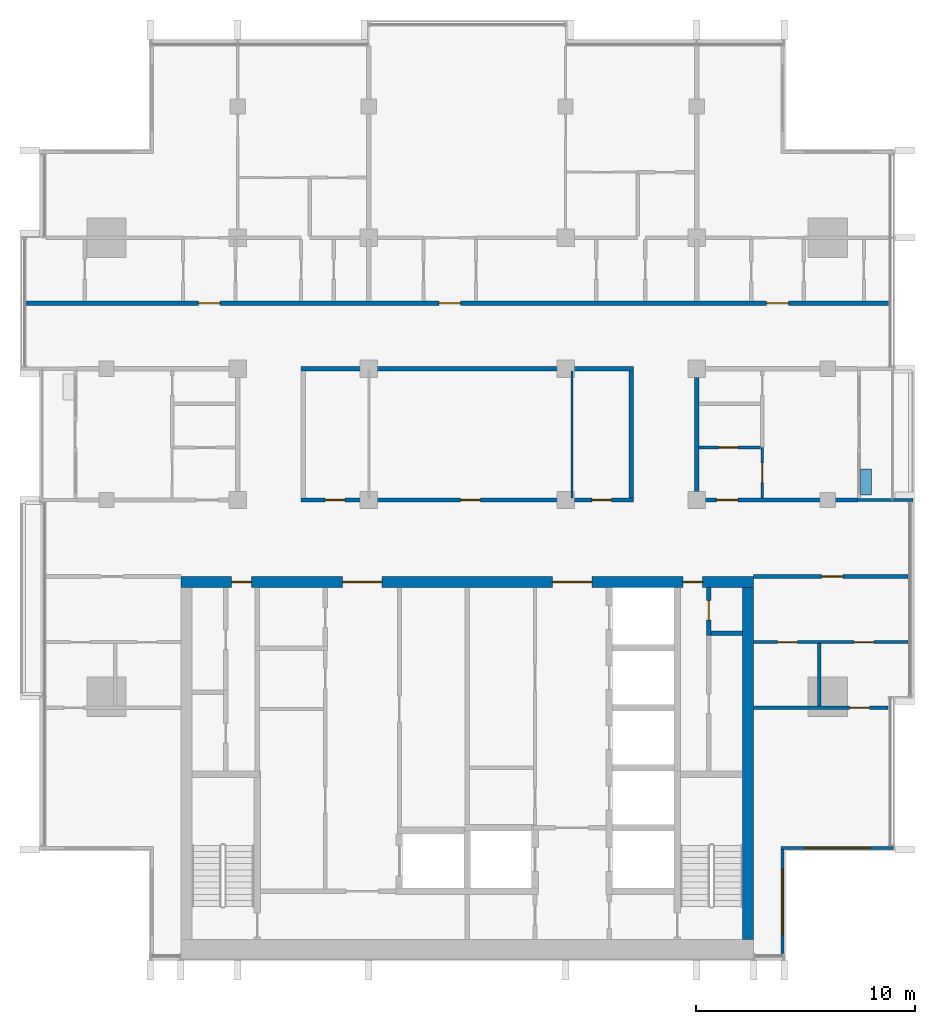
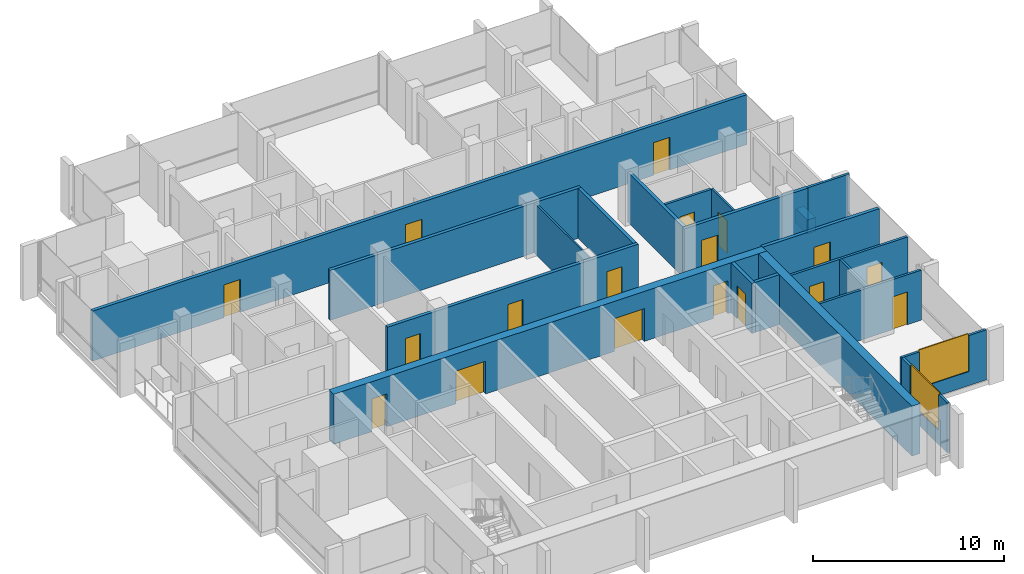
# One storey, part 9 of 16: 21 walls, 18 doors, 2 windows, 20 openings.
"""IFC4 building model written with IfcOpenShell, lengths in metres."""

from ifc_helpers import new_model, si_unit, direction, frame, frame_2d, origin, place, context, subcontext, project, spatial, rectangle, extrude, material, layer, layer_set, type_object, element, fill, save


model = new_model("IFC4")

# Units and contexts
model_context = context("Model", 3, precision=1e-05, world=origin(), true_north=direction((0.0, 1.0)))
body_context = subcontext(model_context, "Body", "Model", "MODEL_VIEW")
ifc_project = project(units=[si_unit("LENGTHUNIT", "METRE"), si_unit("AREAUNIT", "SQUARE_METRE"), si_unit("VOLUMEUNIT", "CUBIC_METRE"), si_unit("PLANEANGLEUNIT", "RADIAN"), si_unit("MASSUNIT", "GRAM", prefix="KILO")], contexts=[model_context])

# Site, building, storey
site_placement = place(None, origin())
site = spatial("IfcSite", under=ifc_project, at=site_placement, CompositionType="ELEMENT")
building_placement = place(site_placement, origin())
building = spatial("IfcBuilding", under=site, at=building_placement, Name="Finial Court Residences", CompositionType="ELEMENT")
storey_placement = place(building_placement, frame((0.0, 0.0, 295.10009765625)))
storey = spatial("IfcBuildingStorey", under=building, at=storey_placement, Name="L75", CompositionType="ELEMENT", Elevation=295.10009765625)

# Wall, openings, doors
ifc_material_1 = material(Name="Concrete C50/60", Category="concrete")
ifc_layer_1 = layer(ifc_material_1, 0.5)
ifc_layer_set_1 = layer_set([ifc_layer_1], Name="Core outer wall 500 Concrete C50/60")
wall_type_1 = type_object("IfcWallType", Name="Core outer wall 500 Concrete C50/60", PredefinedType="SHEAR", material=ifc_layer_set_1)
wall_1_placement = place(storey_placement, frame((-13.10009765625, -8.25, 0.0), z_axis=(0.0, 0.0, 1.0), x_axis=(1.0, 0.0, 0.0)))
wall_1 = element("IfcWall", 1, at=wall_1_placement, inside=storey, type_object=wall_type_1, Name="Core outer wall L75-02", PredefinedType="SHEAR", context=body_context, shape_type="SweptSolid", body=[
    extrude(rectangle(XDim=26.2001953125, YDim=0.5, at=frame_2d((13.10009765625, 0.0))), origin(), (0.0, 0.0, 1.0), 3.199951171875),
])
opening_1_placement = place(wall_1_placement, frame((7.39990234375, 0.0, 0.0)))
opening_1 = element("IfcOpeningElement", 2, at=opening_1_placement, cuts=wall_1, Name="Opening L75-C04", PredefinedType="OPENING", context=body_context, shape_type="SweptSolid", body=[
    extrude(rectangle(XDim=1.800048828125, YDim=2.10009765625, at=frame_2d((0.89990234375, 1.050048828125))), frame((0.0, 0.260009765625, 0.0), z_axis=(0.0, -1.0, 0.0), x_axis=(1.0, 0.0, 0.0)), (0.0, 0.0, 1.0), 0.52001953125),
])
opening_2_placement = place(wall_1_placement, frame((17.0, 0.0, 0.0)))
opening_2 = element("IfcOpeningElement", 3, at=opening_2_placement, cuts=wall_1, Name="Opening L75-C05", PredefinedType="OPENING", context=body_context, shape_type="SweptSolid", body=[
    extrude(rectangle(XDim=1.800048828125, YDim=2.10009765625, at=frame_2d((0.89990234375, 1.050048828125))), frame((0.0, 0.260009765625, 0.0), z_axis=(0.0, -1.0, 0.0), x_axis=(1.0, 0.0, 0.0)), (0.0, 0.0, 1.0), 0.52001953125),
])
opening_3_placement = place(wall_1_placement, frame((2.324951171875, 0.0, 0.0)))
opening_3 = element("IfcOpeningElement", 4, at=opening_3_placement, cuts=wall_1, Name="Opening L75-C11", PredefinedType="OPENING", context=body_context, shape_type="SweptSolid", body=[
    extrude(rectangle(XDim=0.89990234375, YDim=2.10009765625, at=frame_2d((0.449951171875, 1.050048828125))), frame((0.0, 0.260009765625, 0.0), z_axis=(0.0, -1.0, 0.0), x_axis=(1.0, 0.0, 0.0)), (0.0, 0.0, 1.0), 0.52001953125),
])
opening_4_placement = place(wall_1_placement, frame((22.97509765625, 0.0, 0.0)))
opening_4 = element("IfcOpeningElement", 5, at=opening_4_placement, cuts=wall_1, Name="Opening L75-C12", PredefinedType="OPENING", context=body_context, shape_type="SweptSolid", body=[
    extrude(rectangle(XDim=0.89990234375, YDim=2.10009765625, at=frame_2d((0.449951171875, 1.050048828125))), frame((0.0, 0.260009765625, 0.0), z_axis=(0.0, -1.0, 0.0), x_axis=(1.0, 0.0, 0.0)), (0.0, 0.0, 1.0), 0.52001953125),
])
ifc_material_2 = material(Name="Steel fire door", Category="steel")
door_type_1 = type_object("IfcDoorType", Name="Lift lobby door 1800 x 2100 EI 60", OperationType="DOUBLE_DOOR_SINGLE_SWING", PredefinedType="DOOR", material=ifc_material_2)
door_1_placement = place(opening_1_placement, origin())
door_1 = element("IfcDoor", 6, at=door_1_placement, inside=storey, type_object=door_type_1, Name="Lift lobby door L75-C04", OperationType="DOUBLE_DOOR_SINGLE_SWING", OverallHeight=2.10009765625, OverallWidth=1.800048828125, PredefinedType="DOOR", context=body_context, shape_type="SweptSolid", body=[
    extrude(rectangle(XDim=1.800048828125, YDim=2.10009765625, at=frame_2d((0.89990234375, 1.050048828125))), frame((0.0, 0.02490234375, 0.0), z_axis=(0.0, -1.0, 0.0), x_axis=(1.0, 0.0, 0.0)), (0.0, 0.0, 1.0), 0.050048828125),
])
fill(opening_1, door_1)
door_2_placement = place(opening_2_placement, origin())
door_2 = element("IfcDoor", 7, at=door_2_placement, inside=storey, type_object=door_type_1, Name="Lift lobby door L75-C05", OperationType="DOUBLE_DOOR_SINGLE_SWING", OverallHeight=2.10009765625, OverallWidth=1.800048828125, PredefinedType="DOOR", context=body_context, shape_type="SweptSolid", body=[
    extrude(rectangle(XDim=1.800048828125, YDim=2.10009765625, at=frame_2d((0.89990234375, 1.050048828125))), frame((0.0, 0.02490234375, 0.0), z_axis=(0.0, -1.0, 0.0), x_axis=(1.0, 0.0, 0.0)), (0.0, 0.0, 1.0), 0.050048828125),
])
fill(opening_2, door_2)
door_type_2 = type_object("IfcDoorType", Name="Riser room door 900 x 2100 EI 90", OperationType="NOTDEFINED", PredefinedType="DOOR", material=ifc_material_2)
door_3_placement = place(opening_3_placement, origin())
door_3 = element("IfcDoor", 8, at=door_3_placement, inside=storey, type_object=door_type_2, Name="Riser room door L75-C11", OperationType="SINGLE_SWING_RIGHT", OverallHeight=2.10009765625, OverallWidth=0.89990234375, PredefinedType="DOOR", context=body_context, shape_type="SweptSolid", body=[
    extrude(rectangle(XDim=0.89990234375, YDim=2.10009765625, at=frame_2d((0.449951171875, 1.050048828125))), frame((0.0, 0.02490234375, 0.0), z_axis=(0.0, -1.0, 0.0), x_axis=(1.0, 0.0, 0.0)), (0.0, 0.0, 1.0), 0.050048828125),
])
fill(opening_3, door_3)
door_4_placement = place(opening_4_placement, origin())
door_4 = element("IfcDoor", 9, at=door_4_placement, inside=storey, type_object=door_type_2, Name="Riser room door L75-C12", OperationType="SINGLE_SWING_LEFT", OverallHeight=2.10009765625, OverallWidth=0.89990234375, PredefinedType="DOOR", context=body_context, shape_type="SweptSolid", body=[
    extrude(rectangle(XDim=0.89990234375, YDim=2.10009765625, at=frame_2d((0.449951171875, 1.050048828125))), frame((0.0, 0.02490234375, 0.0), z_axis=(0.0, -1.0, 0.0), x_axis=(1.0, 0.0, 0.0)), (0.0, 0.0, 1.0), 0.050048828125),
])
fill(opening_4, door_4)

# Wall
wall_2_placement = place(storey_placement, frame((12.85009765625, -24.60009765625, 0.0), z_axis=(0.0, 0.0, 1.0), x_axis=(0.0, 1.0, 0.0)))
element("IfcWall", 10, at=wall_2_placement, inside=storey, type_object=wall_type_1, Name="Core outer wall L75-04", PredefinedType="SHEAR", context=body_context, shape_type="SweptSolid", body=[
    extrude(rectangle(XDim=16.10009765625, YDim=0.5, at=frame_2d((8.050048828125, 0.0))), origin(), (0.0, 0.0, 1.0), 3.199951171875),
])

# Wall, opening, door
ifc_material_3 = material(Name="Gypsum board")
ifc_layer_2 = layer(ifc_material_3, 0.02490234375)
ifc_material_4 = material(Name="Acoustic mineral wool in double frame")
ifc_layer_3 = layer(ifc_material_4, 0.14990234375)
ifc_layer_4 = layer(ifc_material_3, 0.02490234375)
ifc_layer_set_2 = layer_set([ifc_layer_2, ifc_layer_3, ifc_layer_4], Name="Corridor wall 200, 1 hour")
wall_type_2 = type_object("IfcWallType", Name="Corridor wall 200, 1 hour", PredefinedType="PARTITIONING", material=ifc_layer_set_2)
wall_3_placement = place(storey_placement, frame((13.10009765625, -8.0, 0.0), z_axis=(0.0, 0.0, 1.0), x_axis=(1.0, 0.0, 0.0)))
wall_3 = element("IfcWall", 11, at=wall_3_placement, inside=storey, type_object=wall_type_2, Name="Partition L75-005", PredefinedType="PARTITIONING", context=body_context, shape_type="SweptSolid", body=[
    extrude(rectangle(XDim=7.0625, YDim=0.199951171875, at=frame_2d((3.53125, 0.0))), origin(), (0.0, 0.0, 1.0), 3.199951171875),
])
opening_5_placement = place(wall_3_placement, frame((3.10009765625, 0.0, 0.0)))
opening_5 = element("IfcOpeningElement", 12, at=opening_5_placement, cuts=wall_3, Name="Opening L75-D008", PredefinedType="OPENING", context=body_context, shape_type="SweptSolid", body=[
    extrude(rectangle(XDim=1.0, YDim=2.10009765625, at=frame_2d((0.5, 1.050048828125))), frame((0.0, 0.10986328125, 0.0), z_axis=(0.0, -1.0, 0.0), x_axis=(1.0, 0.0, 0.0)), (0.0, 0.0, 1.0), 0.219970703125),
])
ifc_material_5 = material(Name="Timber door leaf in hollow metal frame", Category="wood")
door_type_3 = type_object("IfcDoorType", Name="Fire door set 1000 x 2100, 30 minutes", OperationType="SINGLE_SWING_LEFT", PredefinedType="DOOR", material=ifc_material_5)
door_5_placement = place(opening_5_placement, origin())
door_5 = element("IfcDoor", 13, at=door_5_placement, inside=storey, type_object=door_type_3, Name="Door L75-D008", OperationType="SINGLE_SWING_LEFT", OverallHeight=2.10009765625, OverallWidth=1.0, PredefinedType="DOOR", context=body_context, shape_type="SweptSolid", body=[
    extrude(rectangle(XDim=1.0, YDim=2.10009765625, at=frame_2d((0.5, 1.050048828125))), frame((0.0, 0.02490234375, 0.0), z_axis=(0.0, -1.0, 0.0), x_axis=(1.0, 0.0, 0.0)), (0.0, 0.0, 1.0), 0.050048828125),
])
fill(opening_5, door_5)

# Wall, openings, doors
wall_4_placement = place(storey_placement, frame((-7.60009765625, -4.5, 0.0), z_axis=(0.0, 0.0, 1.0), x_axis=(1.0, 0.0, 0.0)))
wall_4 = element("IfcWall", 14, at=wall_4_placement, inside=storey, type_object=wall_type_2, Name="Partition L75-007", PredefinedType="PARTITIONING", context=body_context, shape_type="SweptSolid", body=[
    extrude(rectangle(XDim=15.2001953125, YDim=0.199951171875, at=frame_2d((7.60009765625, 0.0))), origin(), (0.0, 0.0, 1.0), 3.199951171875),
])
opening_6_placement = place(wall_4_placement, frame((1.10009765625, 0.0, 0.0)))
opening_6 = element("IfcOpeningElement", 15, at=opening_6_placement, cuts=wall_4, Name="Opening L75-D010", PredefinedType="OPENING", context=body_context, shape_type="SweptSolid", body=[
    extrude(rectangle(XDim=0.89990234375, YDim=2.10009765625, at=frame_2d((0.449951171875, 1.050048828125))), frame((0.0, 0.10986328125, 0.0), z_axis=(0.0, -1.0, 0.0), x_axis=(1.0, 0.0, 0.0)), (0.0, 0.0, 1.0), 0.219970703125),
])
opening_7_placement = place(wall_4_placement, frame((7.300048828125, 0.0, 0.0)))
opening_7 = element("IfcOpeningElement", 16, at=opening_7_placement, cuts=wall_4, Name="Opening L75-D011", PredefinedType="OPENING", context=body_context, shape_type="SweptSolid", body=[
    extrude(rectangle(XDim=0.89990234375, YDim=2.10009765625, at=frame_2d((0.449951171875, 1.050048828125))), frame((0.0, 0.10986328125, 0.0), z_axis=(0.0, -1.0, 0.0), x_axis=(1.0, 0.0, 0.0)), (0.0, 0.0, 1.0), 0.219970703125),
])
opening_8_placement = place(wall_4_placement, frame((13.300048828125, 0.0, 0.0)))
opening_8 = element("IfcOpeningElement", 17, at=opening_8_placement, cuts=wall_4, Name="Opening L75-D012", PredefinedType="OPENING", context=body_context, shape_type="SweptSolid", body=[
    extrude(rectangle(XDim=0.89990234375, YDim=2.10009765625, at=frame_2d((0.449951171875, 1.050048828125))), frame((0.0, 0.10986328125, 0.0), z_axis=(0.0, -1.0, 0.0), x_axis=(1.0, 0.0, 0.0)), (0.0, 0.0, 1.0), 0.219970703125),
])
door_type_4 = type_object("IfcDoorType", Name="Fire door set 900 x 2100, 30 minutes", OperationType="SINGLE_SWING_LEFT", PredefinedType="DOOR", material=ifc_material_5)
door_6_placement = place(opening_6_placement, origin())
door_6 = element("IfcDoor", 18, at=door_6_placement, inside=storey, type_object=door_type_4, Name="Door L75-D010", OperationType="SINGLE_SWING_RIGHT", OverallHeight=2.10009765625, OverallWidth=0.89990234375, PredefinedType="DOOR", context=body_context, shape_type="SweptSolid", body=[
    extrude(rectangle(XDim=0.89990234375, YDim=2.10009765625, at=frame_2d((0.449951171875, 1.050048828125))), frame((0.0, 0.02490234375, 0.0), z_axis=(0.0, -1.0, 0.0), x_axis=(1.0, 0.0, 0.0)), (0.0, 0.0, 1.0), 0.050048828125),
])
fill(opening_6, door_6)
door_7_placement = place(opening_7_placement, origin())
door_7 = element("IfcDoor", 19, at=door_7_placement, inside=storey, type_object=door_type_4, Name="Door L75-D011", OperationType="SINGLE_SWING_LEFT", OverallHeight=2.10009765625, OverallWidth=0.89990234375, PredefinedType="DOOR", context=body_context, shape_type="SweptSolid", body=[
    extrude(rectangle(XDim=0.89990234375, YDim=2.10009765625, at=frame_2d((0.449951171875, 1.050048828125))), frame((0.0, 0.02490234375, 0.0), z_axis=(0.0, -1.0, 0.0), x_axis=(1.0, 0.0, 0.0)), (0.0, 0.0, 1.0), 0.050048828125),
])
fill(opening_7, door_7)
door_8_placement = place(opening_8_placement, origin())
door_8 = element("IfcDoor", 20, at=door_8_placement, inside=storey, type_object=door_type_4, Name="Door L75-D012", OperationType="SINGLE_SWING_LEFT", OverallHeight=2.10009765625, OverallWidth=0.89990234375, PredefinedType="DOOR", context=body_context, shape_type="SweptSolid", body=[
    extrude(rectangle(XDim=0.89990234375, YDim=2.10009765625, at=frame_2d((0.449951171875, 1.050048828125))), frame((0.0, 0.02490234375, 0.0), z_axis=(0.0, -1.0, 0.0), x_axis=(1.0, 0.0, 0.0)), (0.0, 0.0, 1.0), 0.050048828125),
])
fill(opening_8, door_8)

# Wall, opening, door
wall_5_placement = place(storey_placement, frame((10.39990234375, -4.5, 0.0), z_axis=(0.0, 0.0, 1.0), x_axis=(1.0, 0.0, 0.0)))
wall_5 = element("IfcWall", 21, at=wall_5_placement, inside=storey, type_object=wall_type_2, Name="Partition L75-008", PredefinedType="PARTITIONING", context=body_context, shape_type="SweptSolid", body=[
    extrude(rectangle(XDim=7.4501953125, YDim=0.199951171875, at=frame_2d((3.72509765625, 0.0))), origin(), (0.0, 0.0, 1.0), 3.199951171875),
])
opening_9_placement = place(wall_5_placement, frame((1.0, 0.0, 0.0)))
opening_9 = element("IfcOpeningElement", 22, at=opening_9_placement, cuts=wall_5, Name="Opening L75-D013", PredefinedType="OPENING", context=body_context, shape_type="SweptSolid", body=[
    extrude(rectangle(XDim=1.0, YDim=2.10009765625, at=frame_2d((0.5, 1.050048828125))), frame((0.0, 0.10986328125, 0.0), z_axis=(0.0, -1.0, 0.0), x_axis=(1.0, 0.0, 0.0)), (0.0, 0.0, 1.0), 0.219970703125),
])
door_9_placement = place(opening_9_placement, origin())
door_9 = element("IfcDoor", 23, at=door_9_placement, inside=storey, type_object=door_type_3, Name="Door L75-D013", OperationType="SINGLE_SWING_RIGHT", OverallHeight=2.10009765625, OverallWidth=1.0, PredefinedType="DOOR", context=body_context, shape_type="SweptSolid", body=[
    extrude(rectangle(XDim=1.0, YDim=2.10009765625, at=frame_2d((0.5, 1.050048828125))), frame((0.0, 0.02490234375, 0.0), z_axis=(0.0, -1.0, 0.0), x_axis=(1.0, 0.0, 0.0)), (0.0, 0.0, 1.0), 0.050048828125),
])
fill(opening_9, door_9)

# Wall
wall_6_placement = place(storey_placement, frame((-7.60009765625, 1.5, 0.0), z_axis=(0.0, 0.0, 1.0), x_axis=(1.0, 0.0, 0.0)))
element("IfcWall", 24, at=wall_6_placement, inside=storey, type_object=wall_type_2, Name="Partition L75-014", PredefinedType="PARTITIONING", context=body_context, shape_type="SweptSolid", body=[
    extrude(rectangle(XDim=15.2001953125, YDim=0.199951171875, at=frame_2d((7.60009765625, 0.0))), origin(), (0.0, 0.0, 1.0), 3.199951171875),
])

# Wall, openings, doors
wall_7_placement = place(storey_placement, frame((-20.25, 4.5, 0.0), z_axis=(0.0, 0.0, 1.0), x_axis=(1.0, 0.0, 0.0)))
wall_7 = element("IfcWall", 25, at=wall_7_placement, inside=storey, type_object=wall_type_2, Name="Partition L75-016", PredefinedType="PARTITIONING", context=body_context, shape_type="SweptSolid", body=[
    extrude(rectangle(XDim=39.60009765625, YDim=0.199951171875, at=frame_2d((19.800048828125, 0.0))), origin(), (0.0, 0.0, 1.0), 3.199951171875),
])
opening_10_placement = place(wall_7_placement, frame((7.949951171875, 0.0, 0.0)))
opening_10 = element("IfcOpeningElement", 26, at=opening_10_placement, cuts=wall_7, Name="Opening L75-D016", PredefinedType="OPENING", context=body_context, shape_type="SweptSolid", body=[
    extrude(rectangle(XDim=1.0, YDim=2.10009765625, at=frame_2d((0.5, 1.050048828125))), frame((0.0, 0.10986328125, 0.0), z_axis=(0.0, -1.0, 0.0), x_axis=(1.0, 0.0, 0.0)), (0.0, 0.0, 1.0), 0.219970703125),
])
opening_11_placement = place(wall_7_placement, frame((18.949951171875, 0.0, 0.0)))
opening_11 = element("IfcOpeningElement", 27, at=opening_11_placement, cuts=wall_7, Name="Opening L75-D017", PredefinedType="OPENING", context=body_context, shape_type="SweptSolid", body=[
    extrude(rectangle(XDim=1.0, YDim=2.10009765625, at=frame_2d((0.5, 1.050048828125))), frame((0.0, 0.10986328125, 0.0), z_axis=(0.0, -1.0, 0.0), x_axis=(1.0, 0.0, 0.0)), (0.0, 0.0, 1.0), 0.219970703125),
])
opening_12_placement = place(wall_7_placement, frame((33.949951171875, 0.0, 0.0)))
opening_12 = element("IfcOpeningElement", 28, at=opening_12_placement, cuts=wall_7, Name="Opening L75-D018", PredefinedType="OPENING", context=body_context, shape_type="SweptSolid", body=[
    extrude(rectangle(XDim=1.0, YDim=2.10009765625, at=frame_2d((0.5, 1.050048828125))), frame((0.0, 0.10986328125, 0.0), z_axis=(0.0, -1.0, 0.0), x_axis=(1.0, 0.0, 0.0)), (0.0, 0.0, 1.0), 0.219970703125),
])
door_10_placement = place(opening_10_placement, origin())
door_10 = element("IfcDoor", 29, at=door_10_placement, inside=storey, type_object=door_type_3, Name="Door L75-D016", OperationType="SINGLE_SWING_RIGHT", OverallHeight=2.10009765625, OverallWidth=1.0, PredefinedType="DOOR", context=body_context, shape_type="SweptSolid", body=[
    extrude(rectangle(XDim=1.0, YDim=2.10009765625, at=frame_2d((0.5, 1.050048828125))), frame((0.0, 0.02490234375, 0.0), z_axis=(0.0, -1.0, 0.0), x_axis=(1.0, 0.0, 0.0)), (0.0, 0.0, 1.0), 0.050048828125),
])
fill(opening_10, door_10)
door_11_placement = place(opening_11_placement, origin())
door_11 = element("IfcDoor", 30, at=door_11_placement, inside=storey, type_object=door_type_3, Name="Door L75-D017", OperationType="SINGLE_SWING_RIGHT", OverallHeight=2.10009765625, OverallWidth=1.0, PredefinedType="DOOR", context=body_context, shape_type="SweptSolid", body=[
    extrude(rectangle(XDim=1.0, YDim=2.10009765625, at=frame_2d((0.5, 1.050048828125))), frame((0.0, 0.02490234375, 0.0), z_axis=(0.0, -1.0, 0.0), x_axis=(1.0, 0.0, 0.0)), (0.0, 0.0, 1.0), 0.050048828125),
])
fill(opening_11, door_11)
door_12_placement = place(opening_12_placement, origin())
door_12 = element("IfcDoor", 31, at=door_12_placement, inside=storey, type_object=door_type_3, Name="Door L75-D018", OperationType="SINGLE_SWING_LEFT", OverallHeight=2.10009765625, OverallWidth=1.0, PredefinedType="DOOR", context=body_context, shape_type="SweptSolid", body=[
    extrude(rectangle(XDim=1.0, YDim=2.10009765625, at=frame_2d((0.5, 1.050048828125))), frame((0.0, 0.02490234375, 0.0), z_axis=(0.0, -1.0, 0.0), x_axis=(1.0, 0.0, 0.0)), (0.0, 0.0, 1.0), 0.050048828125),
])
fill(opening_12, door_12)

# Walls
for number, where, z_axis, x_axis, name in (
    (32, (7.5, -4.39990234375, 0.0), (0.0, 0.0, 1.0), (0.0, 1.0, 0.0), "Partition L75-050"),
    (33, (10.5, -4.39990234375, 0.0), (0.0, 0.0, 1.0), (0.0, 1.0, 0.0), "Partition L75-053"),
):
    element("IfcWall", number, at=place(storey_placement, frame(where, z_axis=z_axis, x_axis=x_axis)), inside=storey, type_object=wall_type_2, Name=name, PredefinedType="PARTITIONING", context=body_context, shape_type="SweptSolid", body=[
        extrude(rectangle(XDim=5.7998046875, YDim=0.199951171875, at=frame_2d((2.89990234375, 0.0))), origin(), (0.0, 0.0, 1.0), 3.199951171875),
    ])
ifc_layer_5 = layer(ifc_material_3, 0.012451171875)
ifc_material_6 = material(Name="Mineral wool in light-gauge frame")
ifc_layer_6 = layer(ifc_material_6, 0.074951171875)
ifc_layer_7 = layer(ifc_material_3, 0.012451171875)
ifc_layer_set_3 = layer_set([ifc_layer_5, ifc_layer_6, ifc_layer_7], Name="Gypsum board partition 100")
wall_type_3 = type_object("IfcWallType", Name="Gypsum board partition 100", PredefinedType="PARTITIONING", material=ifc_layer_set_3)
wall_8_placement = place(storey_placement, frame((4.800048828125, -4.39990234375, 0.0), z_axis=(0.0, 0.0, 1.0), x_axis=(0.0, 1.0, 0.0)))
element("IfcWall", 34, at=wall_8_placement, inside=storey, type_object=wall_type_3, Name="Partition L75-048", PredefinedType="PARTITIONING", context=body_context, shape_type="SweptSolid", body=[
    extrude(rectangle(XDim=5.7998046875, YDim=0.10009765625, at=frame_2d((2.89990234375, 0.0))), origin(), (0.0, 0.0, 1.0), 3.199951171875),
])

# Wall, opening, door
wall_9_placement = place(storey_placement, frame((13.5, -4.39990234375, 0.0), z_axis=(0.0, 0.0, 1.0), x_axis=(0.0, 1.0, 0.0)))
wall_9 = element("IfcWall", 35, at=wall_9_placement, inside=storey, type_object=wall_type_3, Name="Partition L75-057", PredefinedType="PARTITIONING", context=body_context, shape_type="SweptSolid", body=[
    extrude(rectangle(XDim=2.2998046875, YDim=0.10009765625, at=frame_2d((1.14990234375, 0.0))), origin(), (0.0, 0.0, 1.0), 3.199951171875),
])
opening_13_placement = place(wall_9_placement, frame((0.699951171875, 0.0, 0.0)))
opening_13 = element("IfcOpeningElement", 36, at=opening_13_placement, cuts=wall_9, Name="Opening L75-D040", PredefinedType="OPENING", context=body_context, shape_type="SweptSolid", body=[
    extrude(rectangle(XDim=0.89990234375, YDim=2.10009765625, at=frame_2d((0.449951171875, 1.050048828125))), frame((0.0, 0.06005859375, 0.0), z_axis=(0.0, -1.0, 0.0), x_axis=(1.0, 0.0, 0.0)), (0.0, 0.0, 1.0), 0.1201171875),
])
ifc_material_7 = material(Name="Timber door leaf in timber frame", Category="wood")
door_type_5 = type_object("IfcDoorType", Name="Door set 900 x 2100", OperationType="SINGLE_SWING_LEFT", PredefinedType="DOOR", material=ifc_material_7)
door_13_placement = place(opening_13_placement, origin())
door_13 = element("IfcDoor", 37, at=door_13_placement, inside=storey, type_object=door_type_5, Name="Door L75-D040", OperationType="SINGLE_SWING_LEFT", OverallHeight=2.10009765625, OverallWidth=0.89990234375, PredefinedType="DOOR", context=body_context, shape_type="SweptSolid", body=[
    extrude(rectangle(XDim=0.89990234375, YDim=2.10009765625, at=frame_2d((0.449951171875, 1.050048828125))), frame((0.0, 0.02490234375, 0.0), z_axis=(0.0, -1.0, 0.0), x_axis=(1.0, 0.0, 0.0)), (0.0, 0.0, 1.0), 0.050048828125),
])
fill(opening_13, door_13)

ifc_material_8 = material(Name="Moisture-resistant gypsum board")
ifc_layer_8 = layer(ifc_material_8, 0.012451171875)
ifc_layer_9 = layer(ifc_material_6, 0.125)
ifc_layer_10 = layer(ifc_material_8, 0.012451171875)
ifc_layer_set_4 = layer_set([ifc_layer_8, ifc_layer_9, ifc_layer_10], Name="Gypsum board wet-area partition 150")
wall_type_4 = type_object("IfcWallType", Name="Gypsum board wet-area partition 150", PredefinedType="PARTITIONING", material=ifc_layer_set_4)
wall_10_placement = place(storey_placement, frame((13.10009765625, -14.0, 0.0), z_axis=(0.0, 0.0, 1.0), x_axis=(1.0, 0.0, 0.0)))
wall_10 = element("IfcWall", 38, at=wall_10_placement, inside=storey, type_object=wall_type_4, Name="Partition L75-001", PredefinedType="PARTITIONING", context=body_context, shape_type="SweptSolid", body=[
    extrude(rectangle(XDim=6.162353515625, YDim=0.14990234375, at=frame_2d((3.0810546875, 0.0))), origin(), (0.0, 0.0, 1.0), 3.199951171875),
])
opening_14_placement = place(wall_10_placement, frame((4.39990234375, 0.0, 0.0)))
opening_14 = element("IfcOpeningElement", 39, at=opening_14_placement, cuts=wall_10, Name="Opening L75-D002", PredefinedType="OPENING", context=body_context, shape_type="SweptSolid", body=[
    extrude(rectangle(XDim=0.89990234375, YDim=2.10009765625, at=frame_2d((0.449951171875, 1.050048828125))), frame((0.0, 0.0849609375, 0.0), z_axis=(0.0, -1.0, 0.0), x_axis=(1.0, 0.0, 0.0)), (0.0, 0.0, 1.0), 0.169921875),
])
door_14_placement = place(opening_14_placement, origin())
door_14 = element("IfcDoor", 40, at=door_14_placement, inside=storey, type_object=door_type_5, Name="Door L75-D002", OperationType="SINGLE_SWING_RIGHT", OverallHeight=2.10009765625, OverallWidth=0.89990234375, PredefinedType="DOOR", context=body_context, shape_type="SweptSolid", body=[
    extrude(rectangle(XDim=0.89990234375, YDim=2.10009765625, at=frame_2d((0.449951171875, 1.050048828125))), frame((0.0, 0.02490234375, 0.0), z_axis=(0.0, -1.0, 0.0), x_axis=(1.0, 0.0, 0.0)), (0.0, 0.0, 1.0), 0.050048828125),
])
fill(opening_14, door_14)

# Wall, openings, doors
wall_11_placement = place(storey_placement, frame((13.10009765625, -11.0, 0.0), z_axis=(0.0, 0.0, 1.0), x_axis=(1.0, 0.0, 0.0)))
wall_11 = element("IfcWall", 41, at=wall_11_placement, inside=storey, type_object=wall_type_4, Name="Partition L75-003", PredefinedType="PARTITIONING", context=body_context, shape_type="SweptSolid", body=[
    extrude(rectangle(XDim=7.0625, YDim=0.14990234375, at=frame_2d((3.53125, 0.0))), origin(), (0.0, 0.0, 1.0), 3.199951171875),
])
opening_15_placement = place(wall_11_placement, frame((1.10009765625, 0.0, 0.0)))
opening_15 = element("IfcOpeningElement", 42, at=opening_15_placement, cuts=wall_11, Name="Opening L75-D005", PredefinedType="OPENING", context=body_context, shape_type="SweptSolid", body=[
    extrude(rectangle(XDim=0.89990234375, YDim=2.10009765625, at=frame_2d((0.449951171875, 1.050048828125))), frame((0.0, 0.0849609375, 0.0), z_axis=(0.0, -1.0, 0.0), x_axis=(1.0, 0.0, 0.0)), (0.0, 0.0, 1.0), 0.169921875),
])
opening_16_placement = place(wall_11_placement, frame((4.60009765625, 0.0, 0.0)))
opening_16 = element("IfcOpeningElement", 43, at=opening_16_placement, cuts=wall_11, Name="Opening L75-D006", PredefinedType="OPENING", context=body_context, shape_type="SweptSolid", body=[
    extrude(rectangle(XDim=0.89990234375, YDim=2.10009765625, at=frame_2d((0.449951171875, 1.050048828125))), frame((0.0, 0.0849609375, 0.0), z_axis=(0.0, -1.0, 0.0), x_axis=(1.0, 0.0, 0.0)), (0.0, 0.0, 1.0), 0.169921875),
])
door_15_placement = place(opening_15_placement, origin())
door_15 = element("IfcDoor", 44, at=door_15_placement, inside=storey, type_object=door_type_5, Name="Door L75-D005", OperationType="SINGLE_SWING_LEFT", OverallHeight=2.10009765625, OverallWidth=0.89990234375, PredefinedType="DOOR", context=body_context, shape_type="SweptSolid", body=[
    extrude(rectangle(XDim=0.89990234375, YDim=2.10009765625, at=frame_2d((0.449951171875, 1.050048828125))), frame((0.0, 0.02490234375, 0.0), z_axis=(0.0, -1.0, 0.0), x_axis=(1.0, 0.0, 0.0)), (0.0, 0.0, 1.0), 0.050048828125),
])
fill(opening_15, door_15)
door_16_placement = place(opening_16_placement, origin())
door_16 = element("IfcDoor", 45, at=door_16_placement, inside=storey, type_object=door_type_5, Name="Door L75-D006", OperationType="SINGLE_SWING_RIGHT", OverallHeight=2.10009765625, OverallWidth=0.89990234375, PredefinedType="DOOR", context=body_context, shape_type="SweptSolid", body=[
    extrude(rectangle(XDim=0.89990234375, YDim=2.10009765625, at=frame_2d((0.449951171875, 1.050048828125))), frame((0.0, 0.02490234375, 0.0), z_axis=(0.0, -1.0, 0.0), x_axis=(1.0, 0.0, 0.0)), (0.0, 0.0, 1.0), 0.050048828125),
])
fill(opening_16, door_16)

# Wall, opening, door
wall_12_placement = place(storey_placement, frame((10.60009765625, -2.10009765625, 0.0), z_axis=(0.0, 0.0, 1.0), x_axis=(1.0, 0.0, 0.0)))
wall_12 = element("IfcWall", 46, at=wall_12_placement, inside=storey, type_object=wall_type_4, Name="Partition L75-010", PredefinedType="PARTITIONING", context=body_context, shape_type="SweptSolid", body=[
    extrude(rectangle(XDim=2.824951171875, YDim=0.14990234375, at=frame_2d((1.41259765625, 0.0))), origin(), (0.0, 0.0, 1.0), 3.199951171875),
])
opening_17_placement = place(wall_12_placement, frame((0.89990234375, 0.0, 0.0)))
opening_17 = element("IfcOpeningElement", 47, at=opening_17_placement, cuts=wall_12, Name="Opening L75-D015", PredefinedType="OPENING", context=body_context, shape_type="SweptSolid", body=[
    extrude(rectangle(XDim=0.89990234375, YDim=2.10009765625, at=frame_2d((0.449951171875, 1.050048828125))), frame((0.0, 0.0849609375, 0.0), z_axis=(0.0, -1.0, 0.0), x_axis=(1.0, 0.0, 0.0)), (0.0, 0.0, 1.0), 0.169921875),
])
door_17_placement = place(opening_17_placement, origin())
door_17 = element("IfcDoor", 48, at=door_17_placement, inside=storey, type_object=door_type_5, Name="Door L75-D015", OperationType="SINGLE_SWING_RIGHT", OverallHeight=2.10009765625, OverallWidth=0.89990234375, PredefinedType="DOOR", context=body_context, shape_type="SweptSolid", body=[
    extrude(rectangle(XDim=0.89990234375, YDim=2.10009765625, at=frame_2d((0.449951171875, 1.050048828125))), frame((0.0, 0.02490234375, 0.0), z_axis=(0.0, -1.0, 0.0), x_axis=(1.0, 0.0, 0.0)), (0.0, 0.0, 1.0), 0.050048828125),
])
fill(opening_17, door_17)

# Wall
wall_13_placement = place(storey_placement, frame((16.10009765625, -13.925048828125, 0.0), z_axis=(0.0, 0.0, 1.0), x_axis=(0.0, 1.0, 0.0)))
element("IfcWall", 49, at=wall_13_placement, inside=storey, type_object=wall_type_4, Name="Partition L75-060", PredefinedType="PARTITIONING", context=body_context, shape_type="SweptSolid", body=[
    extrude(rectangle(XDim=2.85009765625, YDim=0.14990234375, at=frame_2d((1.425048828125, 0.0))), origin(), (0.0, 0.0, 1.0), 3.199951171875),
])

# Wall, opening, window
ifc_material_9 = material(Name="Natural limestone", Category="masonry")
ifc_layer_11 = layer(ifc_material_9, 0.14990234375)
ifc_layer_set_5 = layer_set([ifc_layer_11], Name="Limestone clad wall 150")
wall_type_5 = type_object("IfcWallType", Name="Limestone clad wall 150", PredefinedType="SOLIDWALL", material=ifc_layer_set_5)
wall_14_placement = place(storey_placement, frame((14.425048828125, -20.5, 0.0), z_axis=(0.0, 0.0, 1.0), x_axis=(0.0, -1.0, 0.0)))
wall_14 = element("IfcWall", 50, at=wall_14_placement, inside=storey, type_object=wall_type_5, Name="E-L75-NWE14", PredefinedType="SOLIDWALL", context=body_context, shape_type="SweptSolid", body=[
    extrude(rectangle(XDim=4.762451171875, YDim=0.14990234375, at=frame_2d((2.38134765625, 0.0))), origin(), (0.0, 0.0, 1.0), 3.199951171875),
])
opening_18_placement = place(wall_14_placement, frame((0.88134765625, 0.0, 0.89990234375)))
opening_18 = element("IfcOpeningElement", 51, at=opening_18_placement, cuts=wall_14, Name="Opening WE75-03", PredefinedType="OPENING", context=body_context, shape_type="SweptSolid", body=[
    extrude(rectangle(XDim=3.0, YDim=2.39990234375, at=frame_2d((1.5, 1.199951171875))), frame((0.0, 0.0849609375, 0.0), z_axis=(0.0, -1.0, 0.0), x_axis=(1.0, 0.0, 0.0)), (0.0, 0.0, 1.0), 0.169921875),
])
ifc_material_10 = material(Name="Clear low-e glass", Category="glass")
window_type = type_object("IfcWindowType", Name="Corner window 3000 x 2400", PartitioningType="SINGLE_PANEL", PredefinedType="WINDOW", material=ifc_material_10)
window_1_placement = place(opening_18_placement, origin())
window_1 = element("IfcWindow", 52, at=window_1_placement, inside=storey, type_object=window_type, Name="E-L75-NWE14-W1", OverallHeight=2.39990234375, OverallWidth=3.0, PartitioningType="SINGLE_PANEL", PredefinedType="WINDOW", context=body_context, shape_type="SweptSolid", body=[
    extrude(rectangle(XDim=3.0, YDim=2.39990234375, at=frame_2d((1.5, 1.199951171875))), frame((0.0, 0.030029296875, 0.0), z_axis=(0.0, -1.0, 0.0), x_axis=(1.0, 0.0, 0.0)), (0.0, 0.0, 1.0), 0.06005859375),
])
fill(opening_18, window_1)

wall_15_placement = place(storey_placement, frame((19.5, -20.425048828125, 0.0), z_axis=(0.0, 0.0, 1.0), x_axis=(-1.0, 0.0, 0.0)))
wall_15 = element("IfcWall", 53, at=wall_15_placement, inside=storey, type_object=wall_type_5, Name="E-L75-NWS15", PredefinedType="SOLIDWALL", context=body_context, shape_type="SweptSolid", body=[
    extrude(rectangle(XDim=5.14990234375, YDim=0.14990234375, at=frame_2d((2.574951171875, 0.0))), origin(), (0.0, 0.0, 1.0), 3.199951171875),
])
opening_19_placement = place(wall_15_placement, frame((1.074951171875, 0.0, 0.89990234375)))
opening_19 = element("IfcOpeningElement", 54, at=opening_19_placement, cuts=wall_15, Name="Opening WE75-04", PredefinedType="OPENING", context=body_context, shape_type="SweptSolid", body=[
    extrude(rectangle(XDim=3.0, YDim=2.39990234375, at=frame_2d((1.5, 1.199951171875))), frame((0.0, 0.0849609375, 0.0), z_axis=(0.0, -1.0, 0.0), x_axis=(1.0, 0.0, 0.0)), (0.0, 0.0, 1.0), 0.169921875),
])
window_2_placement = place(opening_19_placement, origin())
window_2 = element("IfcWindow", 55, at=window_2_placement, inside=storey, type_object=window_type, Name="E-L75-NWS15-W1", OverallHeight=2.39990234375, OverallWidth=3.0, PartitioningType="SINGLE_PANEL", PredefinedType="WINDOW", context=body_context, shape_type="SweptSolid", body=[
    extrude(rectangle(XDim=3.0, YDim=2.39990234375, at=frame_2d((1.5, 1.199951171875))), frame((0.0, 0.030029296875, 0.0), z_axis=(0.0, -1.0, 0.0), x_axis=(1.0, 0.0, 0.0)), (0.0, 0.0, 1.0), 0.06005859375),
])
fill(opening_19, window_2)

# Walls
wall_16_placement = place(storey_placement, frame((17.85009765625, -4.5, 0.0), z_axis=(0.0, 0.0, 1.0), x_axis=(1.0, 0.0, 0.0)))
element("IfcWall", 56, at=wall_16_placement, inside=storey, type_object=wall_type_5, Name="E-L75-BALE3-P1", PredefinedType="SOLIDWALL", context=body_context, shape_type="SweptSolid", body=[
    extrude(rectangle(XDim=2.5498046875, YDim=0.14990234375, at=frame_2d((1.27490234375, 0.0))), origin(), (0.0, 0.0, 1.0), 3.199951171875),
])
ifc_material_11 = material(Name="Concrete C40/50", Category="concrete")
ifc_layer_12 = layer(ifc_material_11, 0.10009765625)
ifc_material_12 = material(Name="Planting soil", Category="soil")
ifc_layer_13 = layer(ifc_material_12, 0.300048828125)
ifc_layer_14 = layer(ifc_material_11, 0.10009765625)
ifc_layer_set_6 = layer_set([ifc_layer_12, ifc_layer_13, ifc_layer_14], Name="Planter wall, balcony")
wall_type_6 = type_object("IfcWallType", Name="Planter wall, balcony", PredefinedType="USERDEFINED", material=ifc_layer_set_6)
wall_17_placement = place(storey_placement, frame((18.25, -4.27490234375, 0.0), z_axis=(0.0, 0.0, 1.0), x_axis=(0.0, 1.0, 0.0)))
element("IfcWall", 57, at=wall_17_placement, inside=storey, type_object=wall_type_6, Name="E-L75-BALE3-PL", ObjectType="PLANTER", PredefinedType="USERDEFINED", context=body_context, shape_type="SweptSolid", body=[
    extrude(rectangle(XDim=1.199951171875, YDim=0.5, at=frame_2d((0.60009765625, 0.0))), origin(), (0.0, 0.0, 1.0), 0.89990234375),
])
ifc_material_13 = material(Name="Fire-rated gypsum board partition")
ifc_layer_15 = layer(ifc_material_13, 0.199951171875)
ifc_layer_set_7 = layer_set([ifc_layer_15], Name="Riser room wall 200 EI 120")
wall_type_7 = type_object("IfcWallType", Name="Riser room wall 200 EI 120", PredefinedType="PARTITIONING", material=ifc_layer_set_7)
wall_18_placement = place(storey_placement, frame((11.14990234375, -10.60009765625, 0.0), z_axis=(0.0, 0.0, 1.0), x_axis=(1.0, 0.0, 0.0)))
element("IfcWall", 58, at=wall_18_placement, inside=storey, type_object=wall_type_7, Name="Core partition L75-17", PredefinedType="PARTITIONING", context=body_context, shape_type="SweptSolid", body=[
    extrude(rectangle(XDim=1.4501953125, YDim=0.199951171875, at=frame_2d((0.72509765625, 0.0))), origin(), (0.0, 0.0, 1.0), 3.199951171875),
])

# Wall, opening, door
wall_19_placement = place(storey_placement, frame((11.050048828125, -8.5, 0.0), z_axis=(0.0, 0.0, 1.0), x_axis=(0.0, -1.0, 0.0)))
wall_19 = element("IfcWall", 59, at=wall_19_placement, inside=storey, type_object=wall_type_7, Name="Core partition L75-38", PredefinedType="PARTITIONING", context=body_context, shape_type="SweptSolid", body=[
    extrude(rectangle(XDim=2.199951171875, YDim=0.199951171875, at=frame_2d((1.10009765625, 0.0))), origin(), (0.0, 0.0, 1.0), 3.199951171875),
])
opening_20_placement = place(wall_19_placement, frame((0.60009765625, 0.0, 0.0)))
opening_20 = element("IfcOpeningElement", 60, at=opening_20_placement, cuts=wall_19, Name="Opening L75-C08", PredefinedType="OPENING", context=body_context, shape_type="SweptSolid", body=[
    extrude(rectangle(XDim=0.89990234375, YDim=2.10009765625, at=frame_2d((0.449951171875, 1.050048828125))), frame((0.0, 0.10986328125, 0.0), z_axis=(0.0, -1.0, 0.0), x_axis=(1.0, 0.0, 0.0)), (0.0, 0.0, 1.0), 0.219970703125),
])
door_18_placement = place(opening_20_placement, origin())
door_18 = element("IfcDoor", 61, at=door_18_placement, inside=storey, type_object=door_type_2, Name="Riser room door L75-C08", OperationType="SINGLE_SWING_RIGHT", OverallHeight=2.10009765625, OverallWidth=0.89990234375, PredefinedType="DOOR", context=body_context, shape_type="SweptSolid", body=[
    extrude(rectangle(XDim=0.89990234375, YDim=2.10009765625, at=frame_2d((0.449951171875, 1.050048828125))), frame((0.0, 0.02490234375, 0.0), z_axis=(0.0, -1.0, 0.0), x_axis=(1.0, 0.0, 0.0)), (0.0, 0.0, 1.0), 0.050048828125),
])
fill(opening_20, door_18)

save(model, "model.ifc")
